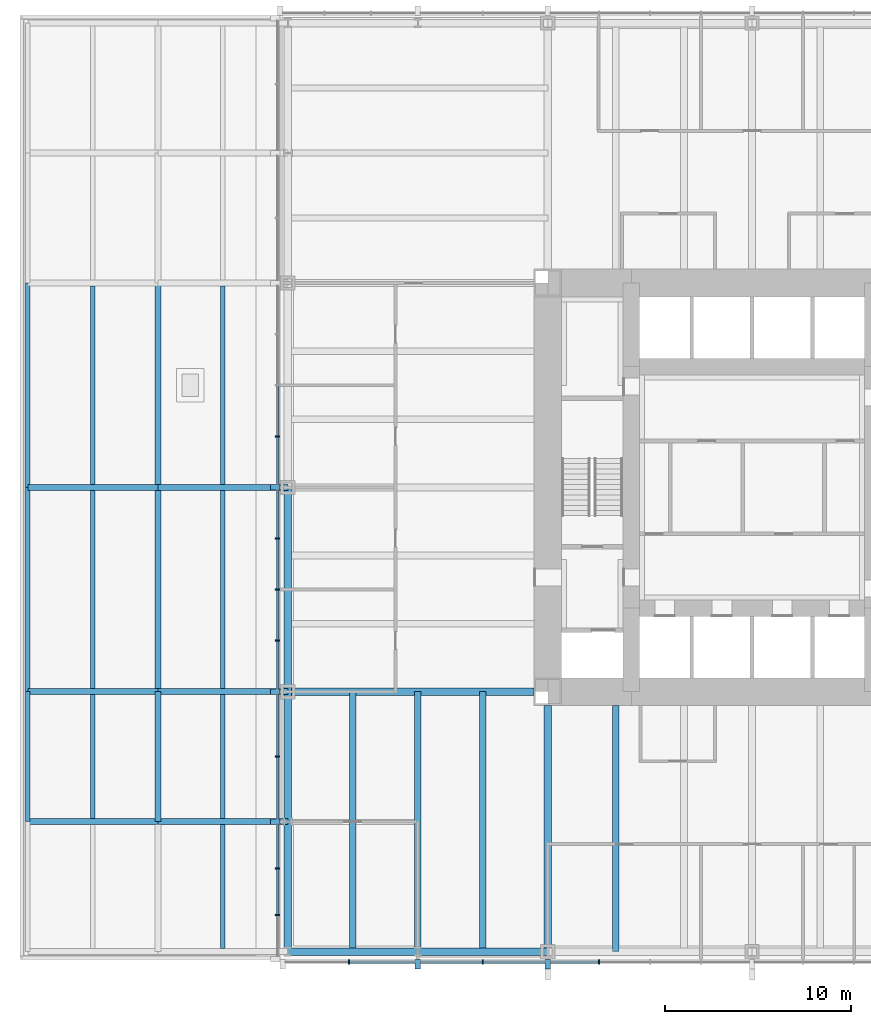
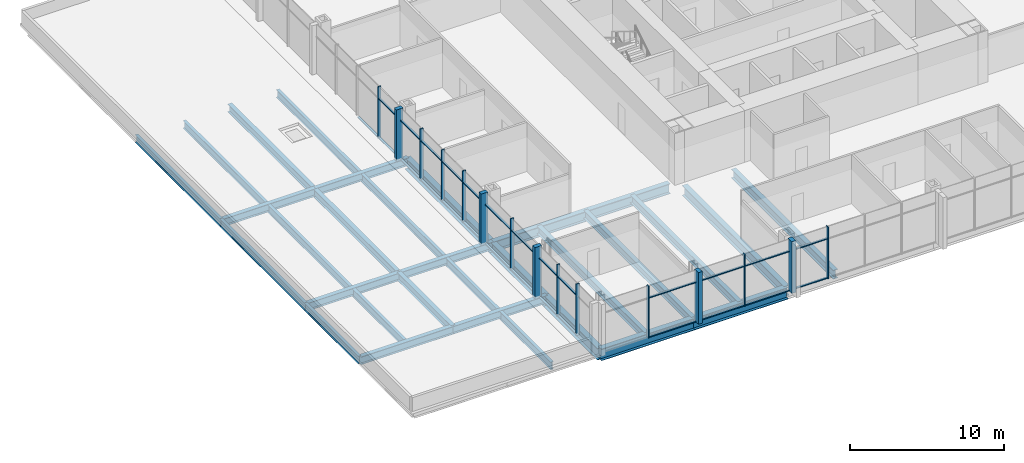
# One storey, part 2 of 15: 42 members, 30 beams, 2 elements without a shape of their own.
"""IFC4 building model written with IfcOpenShell, lengths in metres."""

from ifc_helpers import new_model, si_unit, direction, frame, origin, origin_2d, place, context, subcontext, project, spatial, rectangle, i_section, extrude, material, material_profile, profile_set, type_object, element, aggregate, save


model = new_model("IFC4")

# Units and contexts
model_context = context("Model", 3, precision=1e-05, world=origin(), true_north=direction((0.0, 1.0)))
body_context = subcontext(model_context, "Body", "Model", "MODEL_VIEW")
ifc_project = project(units=[si_unit("LENGTHUNIT", "METRE"), si_unit("AREAUNIT", "SQUARE_METRE"), si_unit("VOLUMEUNIT", "CUBIC_METRE"), si_unit("PLANEANGLEUNIT", "RADIAN"), si_unit("MASSUNIT", "GRAM", prefix="KILO")], contexts=[model_context])

# Site, building, storey
site_placement = place(None, origin())
site = spatial("IfcSite", under=ifc_project, at=site_placement, CompositionType="ELEMENT")
building_placement = place(site_placement, origin())
building = spatial("IfcBuilding", under=site, at=building_placement, Name="Trevanion Tower", CompositionType="ELEMENT")
storey_placement = place(building_placement, frame((0.0, 0.0, 16.0)))
storey = spatial("IfcBuildingStorey", under=building, at=storey_placement, Name="L03", CompositionType="ELEMENT", Elevation=16.0)

# Beams
ifc_material_1 = material(Name="Steel ASTM A992 Grade 50", Category="steel")
ifc_material_profile_1 = material_profile(ifc_material_1, i_section(OverallWidth=0.355712890625, OverallDepth=0.700927734375, WebThickness=0.016845703125, FlangeThickness=0.02734375, at=origin_2d()), Name="W27X161")
ifc_profile_set_1 = profile_set([ifc_material_profile_1], Name="Steel ASTM A992 Grade 50")
beam_type_1 = type_object("IfcBeamType", Name="B1 W27X161", PredefinedType="BEAM", material=ifc_profile_set_1)
beam_1_placement = place(storey_placement, frame((-7.333251953125, -11.75, -0.54052734375), z_axis=(0.0, -1.0, 0.0), x_axis=(1.0, 0.0, 0.0)))
element("IfcBeam", 1, at=beam_1_placement, inside=storey, type_object=beam_type_1, Name="B1 L03", PredefinedType="BEAM", context=body_context, shape_type="SweptSolid", body=[
    extrude(i_section(OverallWidth=0.355712890625, OverallDepth=0.700927734375, WebThickness=0.016845703125, FlangeThickness=0.02734375, at=origin_2d()), origin(), (0.0, 0.0, 1.0), 13.25),
])
ifc_material_2 = material(Name="Steel ASTM A992 Grade 50", Category="steel")
ifc_material_profile_2 = material_profile(ifc_material_2, i_section(OverallWidth=0.32763671875, OverallDepth=0.62744140625, WebThickness=0.0166015625, FlangeThickness=0.027587890625, at=origin_2d()), Name="W24X146")
ifc_profile_set_2 = profile_set([ifc_material_profile_2], Name="Steel ASTM A992 Grade 50")
beam_type_2 = type_object("IfcBeamType", Name="B2 W24X146", PredefinedType="BEAM", material=ifc_profile_set_2)
for number, where, z_axis, x_axis, name in (
    (2, (-14.5, -11.0, -0.503662109375), (0.0, -1.0, 0.0), (1.0, 0.0, 0.0), "B2 L03"),
    (3, (-18.0, -11.0, -0.503662109375), (0.0, -1.0, 0.0), (1.0, 0.0, 0.0), "B2 L03"),
    (4, (-21.5, -11.0, -0.503662109375), (0.0, -1.0, 0.0), (1.0, 0.0, 0.0), "B2 L03"),
):
    element("IfcBeam", number, at=place(storey_placement, frame(where, z_axis=z_axis, x_axis=x_axis)), inside=storey, type_object=beam_type_2, Name=name, PredefinedType="BEAM", context=body_context, shape_type="SweptSolid", body=[
        extrude(i_section(OverallWidth=0.32763671875, OverallDepth=0.62744140625, WebThickness=0.0166015625, FlangeThickness=0.027587890625, at=origin_2d()), origin(), (0.0, 0.0, 1.0), 14.0),
    ])

# Curtain wall, members
ifc_material_3 = material(Name="Aluminium and glass", Category="aluminium")
curtain_wall_type = type_object("IfcCurtainWallType", Name="CW1 curtain wall", PredefinedType="USERDEFINED", material=ifc_material_3)
curtain_wall_1_placement = place(storey_placement, origin())
curtain_wall_1 = element("IfcCurtainWall", 5, at=curtain_wall_1_placement, inside=storey, type_object=curtain_wall_type, Name="CW1 L03 2", ObjectType="UNITISED CURTAIN WALL", PredefinedType="USERDEFINED")
ifc_material_4 = material(Name="Aluminium extrusion, anodised bronze", Category="aluminium")
ifc_material_profile_3 = material_profile(ifc_material_4, rectangle(XDim=0.074951171875, YDim=0.25, at=origin_2d()), Name="CW1 mullion")
ifc_profile_set_3 = profile_set([ifc_material_profile_3], Name="Aluminium extrusion, anodised bronze")
member_type_1 = type_object("IfcMemberType", Name="CW1 mullion", PredefinedType="MULLION", material=ifc_profile_set_3)
member_1_placement = place(storey_placement, frame((-25.550048828125, 2.75, -0.18994140625), z_axis=(0.0, 0.0, 1.0), x_axis=(0.0, -1.0, 0.0)))
member_1 = element("IfcMember", 6, at=member_1_placement, type_object=member_type_1, Name="CW1 mullion 8", PredefinedType="MULLION", context=body_context, shape_type="SweptSolid", body=[
    extrude(rectangle(XDim=0.074951171875, YDim=0.25, at=origin_2d()), origin(), (0.0, 0.0, 1.0), 4.099853515625),
])
member_2_placement = place(storey_placement, frame((-25.550048828125, -2.75, -0.18994140625), z_axis=(0.0, 0.0, 1.0), x_axis=(0.0, -1.0, 0.0)))
member_2 = element("IfcMember", 7, at=member_2_placement, type_object=member_type_1, Name="CW1 mullion 10", PredefinedType="MULLION", context=body_context, shape_type="SweptSolid", body=[
    extrude(rectangle(XDim=0.074951171875, YDim=0.25, at=origin_2d()), origin(), (0.0, 0.0, 1.0), 4.099853515625),
])
member_3_placement = place(storey_placement, frame((-25.550048828125, -5.5, -0.18994140625), z_axis=(0.0, 0.0, 1.0), x_axis=(0.0, -1.0, 0.0)))
member_3 = element("IfcMember", 8, at=member_3_placement, type_object=member_type_1, Name="CW1 mullion 11", PredefinedType="MULLION", context=body_context, shape_type="SweptSolid", body=[
    extrude(rectangle(XDim=0.074951171875, YDim=0.25, at=origin_2d()), origin(), (0.0, 0.0, 1.0), 4.099853515625),
])
member_4_placement = place(storey_placement, frame((-25.550048828125, -8.25, -0.18994140625), z_axis=(0.0, 0.0, 1.0), x_axis=(0.0, -1.0, 0.0)))
member_4 = element("IfcMember", 9, at=member_4_placement, type_object=member_type_1, Name="CW1 mullion 12", PredefinedType="MULLION", context=body_context, shape_type="SweptSolid", body=[
    extrude(rectangle(XDim=0.074951171875, YDim=0.25, at=origin_2d()), origin(), (0.0, 0.0, 1.0), 4.099853515625),
])
member_5_placement = place(storey_placement, frame((-25.550048828125, -14.5, -0.18994140625), z_axis=(0.0, 0.0, 1.0), x_axis=(0.0, -1.0, 0.0)))
member_5 = element("IfcMember", 10, at=member_5_placement, type_object=member_type_1, Name="CW1 mullion 14", PredefinedType="MULLION", context=body_context, shape_type="SweptSolid", body=[
    extrude(rectangle(XDim=0.074951171875, YDim=0.25, at=origin_2d()), origin(), (0.0, 0.0, 1.0), 4.099853515625),
])
member_6_placement = place(storey_placement, frame((-25.550048828125, -20.5166015625, -0.18994140625), z_axis=(0.0, 0.0, 1.0), x_axis=(0.0, -1.0, 0.0)))
member_6 = element("IfcMember", 11, at=member_6_placement, type_object=member_type_1, Name="CW1 mullion 16", PredefinedType="MULLION", context=body_context, shape_type="SweptSolid", body=[
    extrude(rectangle(XDim=0.074951171875, YDim=0.25, at=origin_2d()), origin(), (0.0, 0.0, 1.0), 4.099853515625),
])
member_7_placement = place(storey_placement, frame((-25.550048828125, -23.033203125, -0.18994140625), z_axis=(0.0, 0.0, 1.0), x_axis=(0.0, -1.0, 0.0)))
member_7 = element("IfcMember", 12, at=member_7_placement, type_object=member_type_1, Name="CW1 mullion 17", PredefinedType="MULLION", context=body_context, shape_type="SweptSolid", body=[
    extrude(rectangle(XDim=0.074951171875, YDim=0.25, at=origin_2d()), origin(), (0.0, 0.0, 1.0), 4.099853515625),
])

curtain_wall_2_placement = place(storey_placement, origin())
curtain_wall_2 = element("IfcCurtainWall", 13, at=curtain_wall_2_placement, inside=storey, type_object=curtain_wall_type, Name="CW1 L03 3", ObjectType="UNITISED CURTAIN WALL", PredefinedType="USERDEFINED")
member_8_placement = place(storey_placement, frame((-21.7099609375, -25.550048828125, -0.18994140625), z_axis=(0.0, 0.0, 1.0), x_axis=(1.0, 0.0, 0.0)))
member_8 = element("IfcMember", 14, at=member_8_placement, type_object=member_type_1, Name="CW1 mullion 2", PredefinedType="MULLION", context=body_context, shape_type="SweptSolid", body=[
    extrude(rectangle(XDim=0.074951171875, YDim=0.25, at=origin_2d()), origin(), (0.0, 0.0, 1.0), 4.099853515625),
])
member_9_placement = place(storey_placement, frame((-14.5, -25.550048828125, -0.18994140625), z_axis=(0.0, 0.0, 1.0), x_axis=(1.0, 0.0, 0.0)))
member_9 = element("IfcMember", 15, at=member_9_placement, type_object=member_type_1, Name="CW1 mullion 4", PredefinedType="MULLION", context=body_context, shape_type="SweptSolid", body=[
    extrude(rectangle(XDim=0.074951171875, YDim=0.25, at=origin_2d()), origin(), (0.0, 0.0, 1.0), 4.099853515625),
])
member_10_placement = place(storey_placement, frame((-8.25, -25.550048828125, -0.18994140625), z_axis=(0.0, 0.0, 1.0), x_axis=(1.0, 0.0, 0.0)))
member_10 = element("IfcMember", 16, at=member_10_placement, type_object=member_type_1, Name="CW1 mullion 6", PredefinedType="MULLION", context=body_context, shape_type="SweptSolid", body=[
    extrude(rectangle(XDim=0.074951171875, YDim=0.25, at=origin_2d()), origin(), (0.0, 0.0, 1.0), 4.099853515625),
])

# Member
ifc_material_5 = material(Name="Aluminium extrusion, anodised bronze", Category="aluminium")
ifc_material_profile_4 = material_profile(ifc_material_5, rectangle(XDim=0.300048828125, YDim=0.5, at=origin_2d()), Name="CW1 pier mullion")
ifc_profile_set_4 = profile_set([ifc_material_profile_4], Name="Aluminium extrusion, anodised bronze")
member_type_2 = type_object("IfcMemberType", Name="CW1 pier mullion", PredefinedType="MULLION", material=ifc_profile_set_4)
member_11_placement = place(storey_placement, frame((-25.675048828125, 0.0, -0.18994140625), z_axis=(0.0, 0.0, 1.0), x_axis=(0.0, -1.0, 0.0)))
member_11 = element("IfcMember", 17, at=member_11_placement, type_object=member_type_2, Name="CW1 pier mullion 9", PredefinedType="MULLION", context=body_context, shape_type="SweptSolid", body=[
    extrude(rectangle(XDim=0.300048828125, YDim=0.5, at=origin_2d()), origin(), (0.0, 0.0, 1.0), 4.099853515625),
])

member_12_placement = place(storey_placement, frame((-25.675048828125, -11.0, -0.18994140625), z_axis=(0.0, 0.0, 1.0), x_axis=(0.0, -1.0, 0.0)))
member_12 = element("IfcMember", 18, at=member_12_placement, type_object=member_type_2, Name="CW1 pier mullion 13", PredefinedType="MULLION", context=body_context, shape_type="SweptSolid", body=[
    extrude(rectangle(XDim=0.300048828125, YDim=0.5, at=origin_2d()), origin(), (0.0, 0.0, 1.0), 4.099853515625),
])

member_13_placement = place(storey_placement, frame((-25.675048828125, -18.0, -0.18994140625), z_axis=(0.0, 0.0, 1.0), x_axis=(0.0, -1.0, 0.0)))
member_13 = element("IfcMember", 19, at=member_13_placement, type_object=member_type_2, Name="CW1 pier mullion 15", PredefinedType="MULLION", context=body_context, shape_type="SweptSolid", body=[
    extrude(rectangle(XDim=0.300048828125, YDim=0.5, at=origin_2d()), origin(), (0.0, 0.0, 1.0), 4.099853515625),
])

member_14_placement = place(storey_placement, frame((-18.0, -25.675048828125, -0.18994140625), z_axis=(0.0, 0.0, 1.0), x_axis=(1.0, 0.0, 0.0)))
member_14 = element("IfcMember", 20, at=member_14_placement, type_object=member_type_2, Name="CW1 pier mullion 3", PredefinedType="MULLION", context=body_context, shape_type="SweptSolid", body=[
    extrude(rectangle(XDim=0.300048828125, YDim=0.5, at=origin_2d()), origin(), (0.0, 0.0, 1.0), 4.099853515625),
])

member_15_placement = place(storey_placement, frame((-11.0, -25.675048828125, -0.18994140625), z_axis=(0.0, 0.0, 1.0), x_axis=(1.0, 0.0, 0.0)))
member_15 = element("IfcMember", 21, at=member_15_placement, type_object=member_type_2, Name="CW1 pier mullion 5", PredefinedType="MULLION", context=body_context, shape_type="SweptSolid", body=[
    extrude(rectangle(XDim=0.300048828125, YDim=0.5, at=origin_2d()), origin(), (0.0, 0.0, 1.0), 4.099853515625),
])

ifc_material_6 = material(Name="Aluminium extrusion, anodised bronze", Category="aluminium")
ifc_material_profile_5 = material_profile(ifc_material_6, rectangle(XDim=0.14990234375, YDim=0.074951171875, at=origin_2d()), Name="CW1 transom")
ifc_profile_set_5 = profile_set([ifc_material_profile_5], Name="Aluminium extrusion, anodised bronze")
member_type_3 = type_object("IfcMemberType", Name="CW1 transom", PredefinedType="USERDEFINED", material=ifc_profile_set_5)
member_16_placement = place(storey_placement, frame((-25.550048828125, 5.46240234375, -0.152587890625), z_axis=(0.0, -1.0, 0.0), x_axis=(1.0, 0.0, 0.0)))
member_16 = element("IfcMember", 22, at=member_16_placement, type_object=member_type_3, Name="CW1 transom 7.1", ObjectType="TRANSOM", PredefinedType="USERDEFINED", context=body_context, shape_type="SweptSolid", body=[
    extrude(rectangle(XDim=0.14990234375, YDim=0.074951171875, at=origin_2d()), origin(), (0.0, 0.0, 1.0), 2.6748046875),
])

member_17_placement = place(storey_placement, frame((-25.550048828125, 2.71240234375, -0.152587890625), z_axis=(0.0, -1.0, 0.0), x_axis=(1.0, 0.0, 0.0)))
member_17 = element("IfcMember", 23, at=member_17_placement, type_object=member_type_3, Name="CW1 transom 8.1", ObjectType="TRANSOM", PredefinedType="USERDEFINED", context=body_context, shape_type="SweptSolid", body=[
    extrude(rectangle(XDim=0.14990234375, YDim=0.074951171875, at=origin_2d()), origin(), (0.0, 0.0, 1.0), 2.5625),
])

member_18_placement = place(storey_placement, frame((-25.550048828125, 2.71240234375, 2.9599609375), z_axis=(0.0, -1.0, 0.0), x_axis=(1.0, 0.0, 0.0)))
member_18 = element("IfcMember", 24, at=member_18_placement, type_object=member_type_3, Name="CW1 transom 8.2", ObjectType="TRANSOM", PredefinedType="USERDEFINED", context=body_context, shape_type="SweptSolid", body=[
    extrude(rectangle(XDim=0.14990234375, YDim=0.074951171875, at=origin_2d()), origin(), (0.0, 0.0, 1.0), 2.5625),
])

member_19_placement = place(storey_placement, frame((-25.550048828125, -0.14990234375, -0.152587890625), z_axis=(0.0, -1.0, 0.0), x_axis=(1.0, 0.0, 0.0)))
member_19 = element("IfcMember", 25, at=member_19_placement, type_object=member_type_3, Name="CW1 transom 9.1", ObjectType="TRANSOM", PredefinedType="USERDEFINED", context=body_context, shape_type="SweptSolid", body=[
    extrude(rectangle(XDim=0.14990234375, YDim=0.074951171875, at=origin_2d()), origin(), (0.0, 0.0, 1.0), 2.5625),
])

member_20_placement = place(storey_placement, frame((-25.550048828125, -0.14990234375, 2.9599609375), z_axis=(0.0, -1.0, 0.0), x_axis=(1.0, 0.0, 0.0)))
member_20 = element("IfcMember", 26, at=member_20_placement, type_object=member_type_3, Name="CW1 transom 9.2", ObjectType="TRANSOM", PredefinedType="USERDEFINED", context=body_context, shape_type="SweptSolid", body=[
    extrude(rectangle(XDim=0.14990234375, YDim=0.074951171875, at=origin_2d()), origin(), (0.0, 0.0, 1.0), 2.5625),
])

member_21_placement = place(storey_placement, frame((-25.550048828125, -2.78759765625, -0.152587890625), z_axis=(0.0, -1.0, 0.0), x_axis=(1.0, 0.0, 0.0)))
member_21 = element("IfcMember", 27, at=member_21_placement, type_object=member_type_3, Name="CW1 transom 10.1", ObjectType="TRANSOM", PredefinedType="USERDEFINED", context=body_context, shape_type="SweptSolid", body=[
    extrude(rectangle(XDim=0.14990234375, YDim=0.074951171875, at=origin_2d()), origin(), (0.0, 0.0, 1.0), 2.6748046875),
])

member_22_placement = place(storey_placement, frame((-25.550048828125, -2.78759765625, 2.9599609375), z_axis=(0.0, -1.0, 0.0), x_axis=(1.0, 0.0, 0.0)))
member_22 = element("IfcMember", 28, at=member_22_placement, type_object=member_type_3, Name="CW1 transom 10.2", ObjectType="TRANSOM", PredefinedType="USERDEFINED", context=body_context, shape_type="SweptSolid", body=[
    extrude(rectangle(XDim=0.14990234375, YDim=0.074951171875, at=origin_2d()), origin(), (0.0, 0.0, 1.0), 2.6748046875),
])

member_23_placement = place(storey_placement, frame((-25.550048828125, -5.53759765625, -0.152587890625), z_axis=(0.0, -1.0, 0.0), x_axis=(1.0, 0.0, 0.0)))
member_23 = element("IfcMember", 29, at=member_23_placement, type_object=member_type_3, Name="CW1 transom 11.1", ObjectType="TRANSOM", PredefinedType="USERDEFINED", context=body_context, shape_type="SweptSolid", body=[
    extrude(rectangle(XDim=0.14990234375, YDim=0.074951171875, at=origin_2d()), origin(), (0.0, 0.0, 1.0), 2.6748046875),
])

member_24_placement = place(storey_placement, frame((-25.550048828125, -5.53759765625, 2.9599609375), z_axis=(0.0, -1.0, 0.0), x_axis=(1.0, 0.0, 0.0)))
member_24 = element("IfcMember", 30, at=member_24_placement, type_object=member_type_3, Name="CW1 transom 11.2", ObjectType="TRANSOM", PredefinedType="USERDEFINED", context=body_context, shape_type="SweptSolid", body=[
    extrude(rectangle(XDim=0.14990234375, YDim=0.074951171875, at=origin_2d()), origin(), (0.0, 0.0, 1.0), 2.6748046875),
])

member_25_placement = place(storey_placement, frame((-25.550048828125, -8.28759765625, -0.152587890625), z_axis=(0.0, -1.0, 0.0), x_axis=(1.0, 0.0, 0.0)))
member_25 = element("IfcMember", 31, at=member_25_placement, type_object=member_type_3, Name="CW1 transom 12.1", ObjectType="TRANSOM", PredefinedType="USERDEFINED", context=body_context, shape_type="SweptSolid", body=[
    extrude(rectangle(XDim=0.14990234375, YDim=0.074951171875, at=origin_2d()), origin(), (0.0, 0.0, 1.0), 2.5625),
])

member_26_placement = place(storey_placement, frame((-25.550048828125, -8.28759765625, 2.9599609375), z_axis=(0.0, -1.0, 0.0), x_axis=(1.0, 0.0, 0.0)))
member_26 = element("IfcMember", 32, at=member_26_placement, type_object=member_type_3, Name="CW1 transom 12.2", ObjectType="TRANSOM", PredefinedType="USERDEFINED", context=body_context, shape_type="SweptSolid", body=[
    extrude(rectangle(XDim=0.14990234375, YDim=0.074951171875, at=origin_2d()), origin(), (0.0, 0.0, 1.0), 2.5625),
])

member_27_placement = place(storey_placement, frame((-25.550048828125, -11.14990234375, -0.152587890625), z_axis=(0.0, -1.0, 0.0), x_axis=(1.0, 0.0, 0.0)))
member_27 = element("IfcMember", 33, at=member_27_placement, type_object=member_type_3, Name="CW1 transom 13.1", ObjectType="TRANSOM", PredefinedType="USERDEFINED", context=body_context, shape_type="SweptSolid", body=[
    extrude(rectangle(XDim=0.14990234375, YDim=0.074951171875, at=origin_2d()), origin(), (0.0, 0.0, 1.0), 3.3125),
])

member_28_placement = place(storey_placement, frame((-25.550048828125, -11.14990234375, 2.9599609375), z_axis=(0.0, -1.0, 0.0), x_axis=(1.0, 0.0, 0.0)))
member_28 = element("IfcMember", 34, at=member_28_placement, type_object=member_type_3, Name="CW1 transom 13.2", ObjectType="TRANSOM", PredefinedType="USERDEFINED", context=body_context, shape_type="SweptSolid", body=[
    extrude(rectangle(XDim=0.14990234375, YDim=0.074951171875, at=origin_2d()), origin(), (0.0, 0.0, 1.0), 3.3125),
])

member_29_placement = place(storey_placement, frame((-25.550048828125, -14.53759765625, -0.152587890625), z_axis=(0.0, -1.0, 0.0), x_axis=(1.0, 0.0, 0.0)))
member_29 = element("IfcMember", 35, at=member_29_placement, type_object=member_type_3, Name="CW1 transom 14.1", ObjectType="TRANSOM", PredefinedType="USERDEFINED", context=body_context, shape_type="SweptSolid", body=[
    extrude(rectangle(XDim=0.14990234375, YDim=0.074951171875, at=origin_2d()), origin(), (0.0, 0.0, 1.0), 3.3125),
])

member_30_placement = place(storey_placement, frame((-25.550048828125, -14.53759765625, 2.9599609375), z_axis=(0.0, -1.0, 0.0), x_axis=(1.0, 0.0, 0.0)))
member_30 = element("IfcMember", 36, at=member_30_placement, type_object=member_type_3, Name="CW1 transom 14.2", ObjectType="TRANSOM", PredefinedType="USERDEFINED", context=body_context, shape_type="SweptSolid", body=[
    extrude(rectangle(XDim=0.14990234375, YDim=0.074951171875, at=origin_2d()), origin(), (0.0, 0.0, 1.0), 3.3125),
])

member_31_placement = place(storey_placement, frame((-25.550048828125, -18.14990234375, -0.152587890625), z_axis=(0.0, -1.0, 0.0), x_axis=(1.0, 0.0, 0.0)))
member_31 = element("IfcMember", 37, at=member_31_placement, type_object=member_type_3, Name="CW1 transom 15.1", ObjectType="TRANSOM", PredefinedType="USERDEFINED", context=body_context, shape_type="SweptSolid", body=[
    extrude(rectangle(XDim=0.14990234375, YDim=0.074951171875, at=origin_2d()), origin(), (0.0, 0.0, 1.0), 2.329345703125),
])

member_32_placement = place(storey_placement, frame((-25.550048828125, -18.14990234375, 2.9599609375), z_axis=(0.0, -1.0, 0.0), x_axis=(1.0, 0.0, 0.0)))
member_32 = element("IfcMember", 38, at=member_32_placement, type_object=member_type_3, Name="CW1 transom 15.2", ObjectType="TRANSOM", PredefinedType="USERDEFINED", context=body_context, shape_type="SweptSolid", body=[
    extrude(rectangle(XDim=0.14990234375, YDim=0.074951171875, at=origin_2d()), origin(), (0.0, 0.0, 1.0), 2.329345703125),
])

member_33_placement = place(storey_placement, frame((-25.550048828125, -20.55419921875, -0.152587890625), z_axis=(0.0, -1.0, 0.0), x_axis=(1.0, 0.0, 0.0)))
member_33 = element("IfcMember", 39, at=member_33_placement, type_object=member_type_3, Name="CW1 transom 16.1", ObjectType="TRANSOM", PredefinedType="USERDEFINED", context=body_context, shape_type="SweptSolid", body=[
    extrude(rectangle(XDim=0.14990234375, YDim=0.074951171875, at=origin_2d()), origin(), (0.0, 0.0, 1.0), 2.441650390625),
])

member_34_placement = place(storey_placement, frame((-25.550048828125, -20.55419921875, 2.9599609375), z_axis=(0.0, -1.0, 0.0), x_axis=(1.0, 0.0, 0.0)))
member_34 = element("IfcMember", 40, at=member_34_placement, type_object=member_type_3, Name="CW1 transom 16.2", ObjectType="TRANSOM", PredefinedType="USERDEFINED", context=body_context, shape_type="SweptSolid", body=[
    extrude(rectangle(XDim=0.14990234375, YDim=0.074951171875, at=origin_2d()), origin(), (0.0, 0.0, 1.0), 2.441650390625),
])

aggregate(curtain_wall_1, [member_1, member_11, member_2, member_3, member_4, member_12, member_5, member_13, member_6, member_7, member_16, member_17, member_18, member_19, member_20, member_21, member_22, member_23, member_24, member_25, member_26, member_27, member_28, member_29, member_30, member_31, member_32, member_33, member_34])

member_35_placement = place(storey_placement, frame((-21.672607421875, -25.550048828125, -0.152587890625), z_axis=(1.0, 0.0, 0.0), x_axis=(0.0, 1.0, 0.0)))
member_35 = element("IfcMember", 41, at=member_35_placement, type_object=member_type_3, Name="CW1 transom 2.1", ObjectType="TRANSOM", PredefinedType="USERDEFINED", context=body_context, shape_type="SweptSolid", body=[
    extrude(rectangle(XDim=0.14990234375, YDim=0.074951171875, at=origin_2d()), origin(), (0.0, 0.0, 1.0), 3.522705078125),
])

member_36_placement = place(storey_placement, frame((-21.672607421875, -25.550048828125, 2.9599609375), z_axis=(1.0, 0.0, 0.0), x_axis=(0.0, 1.0, 0.0)))
member_36 = element("IfcMember", 42, at=member_36_placement, type_object=member_type_3, Name="CW1 transom 2.2", ObjectType="TRANSOM", PredefinedType="USERDEFINED", context=body_context, shape_type="SweptSolid", body=[
    extrude(rectangle(XDim=0.14990234375, YDim=0.074951171875, at=origin_2d()), origin(), (0.0, 0.0, 1.0), 3.522705078125),
])

member_37_placement = place(storey_placement, frame((-17.85009765625, -25.550048828125, -0.152587890625), z_axis=(1.0, 0.0, 0.0), x_axis=(0.0, 1.0, 0.0)))
member_37 = element("IfcMember", 43, at=member_37_placement, type_object=member_type_3, Name="CW1 transom 3.1", ObjectType="TRANSOM", PredefinedType="USERDEFINED", context=body_context, shape_type="SweptSolid", body=[
    extrude(rectangle(XDim=0.14990234375, YDim=0.074951171875, at=origin_2d()), origin(), (0.0, 0.0, 1.0), 3.3125),
])

member_38_placement = place(storey_placement, frame((-17.85009765625, -25.550048828125, 2.9599609375), z_axis=(1.0, 0.0, 0.0), x_axis=(0.0, 1.0, 0.0)))
member_38 = element("IfcMember", 44, at=member_38_placement, type_object=member_type_3, Name="CW1 transom 3.2", ObjectType="TRANSOM", PredefinedType="USERDEFINED", context=body_context, shape_type="SweptSolid", body=[
    extrude(rectangle(XDim=0.14990234375, YDim=0.074951171875, at=origin_2d()), origin(), (0.0, 0.0, 1.0), 3.3125),
])

member_39_placement = place(storey_placement, frame((-14.46240234375, -25.550048828125, -0.152587890625), z_axis=(1.0, 0.0, 0.0), x_axis=(0.0, 1.0, 0.0)))
member_39 = element("IfcMember", 45, at=member_39_placement, type_object=member_type_3, Name="CW1 transom 4.1", ObjectType="TRANSOM", PredefinedType="USERDEFINED", context=body_context, shape_type="SweptSolid", body=[
    extrude(rectangle(XDim=0.14990234375, YDim=0.074951171875, at=origin_2d()), origin(), (0.0, 0.0, 1.0), 3.3125),
])

member_40_placement = place(storey_placement, frame((-14.46240234375, -25.550048828125, 2.9599609375), z_axis=(1.0, 0.0, 0.0), x_axis=(0.0, 1.0, 0.0)))
member_40 = element("IfcMember", 46, at=member_40_placement, type_object=member_type_3, Name="CW1 transom 4.2", ObjectType="TRANSOM", PredefinedType="USERDEFINED", context=body_context, shape_type="SweptSolid", body=[
    extrude(rectangle(XDim=0.14990234375, YDim=0.074951171875, at=origin_2d()), origin(), (0.0, 0.0, 1.0), 3.3125),
])

member_41_placement = place(storey_placement, frame((-10.85009765625, -25.550048828125, -0.152587890625), z_axis=(1.0, 0.0, 0.0), x_axis=(0.0, 1.0, 0.0)))
member_41 = element("IfcMember", 47, at=member_41_placement, type_object=member_type_3, Name="CW1 transom 5.1", ObjectType="TRANSOM", PredefinedType="USERDEFINED", context=body_context, shape_type="SweptSolid", body=[
    extrude(rectangle(XDim=0.14990234375, YDim=0.074951171875, at=origin_2d()), origin(), (0.0, 0.0, 1.0), 2.5625),
])

member_42_placement = place(storey_placement, frame((-10.85009765625, -25.550048828125, 2.9599609375), z_axis=(1.0, 0.0, 0.0), x_axis=(0.0, 1.0, 0.0)))
member_42 = element("IfcMember", 48, at=member_42_placement, type_object=member_type_3, Name="CW1 transom 5.2", ObjectType="TRANSOM", PredefinedType="USERDEFINED", context=body_context, shape_type="SweptSolid", body=[
    extrude(rectangle(XDim=0.14990234375, YDim=0.074951171875, at=origin_2d()), origin(), (0.0, 0.0, 1.0), 2.5625),
])

aggregate(curtain_wall_2, [member_8, member_14, member_9, member_15, member_10, member_35, member_36, member_37, member_38, member_39, member_40, member_41, member_42])

# Beams
ifc_material_7 = material(Name="Steel ASTM A992 Grade 50", Category="steel")
ifc_material_profile_6 = material_profile(ifc_material_7, i_section(OverallWidth=0.385986328125, OverallDepth=0.802734375, WebThickness=0.023681640625, FlangeThickness=0.0419921875, at=origin_2d()), Name="W30X261")
ifc_profile_set_6 = profile_set([ifc_material_profile_6], Name="Steel ASTM A992 Grade 50")
beam_type_3 = type_object("IfcBeamType", Name="G1 W30X261", PredefinedType="BEAM", material=ifc_profile_set_6)
for number, where, z_axis, x_axis, name in (
    (49, (-11.75, -11.0, -0.59130859375), (-1.0, 0.0, 0.0), (0.0, -1.0, 0.0), "G1 L03"),
    (50, (-11.0, -11.75, -0.59130859375), (0.0, -1.0, 0.0), (1.0, 0.0, 0.0), "G1 L03"),
):
    element("IfcBeam", number, at=place(storey_placement, frame(where, z_axis=z_axis, x_axis=x_axis)), inside=storey, type_object=beam_type_3, Name=name, PredefinedType="BEAM", context=body_context, shape_type="SweptSolid", body=[
        extrude(i_section(OverallWidth=0.385986328125, OverallDepth=0.802734375, WebThickness=0.023681640625, FlangeThickness=0.0419921875, at=origin_2d()), origin(), (0.0, 0.0, 1.0), 13.25),
    ])
ifc_material_8 = material(Name="Steel ASTM A992 Grade 50", Category="steel")
ifc_material_profile_7 = material_profile(ifc_material_8, i_section(OverallWidth=0.419189453125, OverallDepth=0.927001953125, WebThickness=0.019287109375, FlangeThickness=0.031982421875, at=origin_2d()), Name="W36X231")
ifc_profile_set_7 = profile_set([ifc_material_profile_7], Name="Steel ASTM A992 Grade 50")
beam_type_4 = type_object("IfcBeamType", Name="SB1 W36X231", PredefinedType="SPANDREL", material=ifc_profile_set_7)
beam_2_placement = place(storey_placement, frame((-25.0, 0.0, -0.653564453125), z_axis=(0.0, -1.0, 0.0), x_axis=(1.0, 0.0, 0.0)))
element("IfcBeam", 51, at=beam_2_placement, inside=storey, type_object=beam_type_4, Name="SB1 L03", PredefinedType="SPANDREL", context=body_context, shape_type="SweptSolid", body=[
    extrude(i_section(OverallWidth=0.419189453125, OverallDepth=0.927001953125, WebThickness=0.019287109375, FlangeThickness=0.031982421875, at=origin_2d()), origin(), (0.0, 0.0, 1.0), 11.0),
])
for number, where, z_axis, x_axis, name in (
    (52, (-25.0, -11.0, -0.653564453125), (0.0, -1.0, 0.0), (1.0, 0.0, 0.0), "SB1 L03"),
    (53, (-25.0, -18.0, -0.653564453125), (0.0, -1.0, 0.0), (1.0, 0.0, 0.0), "SB1 L03"),
    (54, (-25.0, -25.0, -0.653564453125), (1.0, 0.0, 0.0), (0.0, 1.0, 0.0), "SB1 L03"),
    (55, (-18.0, -25.0, -0.653564453125), (1.0, 0.0, 0.0), (0.0, 1.0, 0.0), "SB1 L03"),
):
    element("IfcBeam", number, at=place(storey_placement, frame(where, z_axis=z_axis, x_axis=x_axis)), inside=storey, type_object=beam_type_4, Name=name, PredefinedType="SPANDREL", context=body_context, shape_type="SweptSolid", body=[
        extrude(i_section(OverallWidth=0.419189453125, OverallDepth=0.927001953125, WebThickness=0.019287109375, FlangeThickness=0.031982421875, at=origin_2d()), origin(), (0.0, 0.0, 1.0), 7.0),
    ])
ifc_material_9 = material(Name="Steel ASTM A992 Grade 50", Category="steel")
ifc_material_profile_8 = material_profile(ifc_material_9, i_section(OverallWidth=0.228271484375, OverallDepth=0.607177734375, WebThickness=0.01123046875, FlangeThickness=0.017333984375, at=origin_2d()), Name="W24X76")
ifc_profile_set_8 = profile_set([ifc_material_profile_8], Name="Steel ASTM A992 Grade 50")
beam_type_5 = type_object("IfcBeamType", Name="WB1 W24X76", PredefinedType="BEAM", material=ifc_profile_set_8)
for number, where, z_axis, x_axis, name in (
    (56, (-28.5, 10.83740234375, -0.493408203125), (0.0, -1.0, 0.0), (1.0, 0.0, 0.0), "WB1 L03"),
    (57, (-28.5, -0.16259765625, -0.493408203125), (0.0, -1.0, 0.0), (1.0, 0.0, 0.0), "WB1 L03"),
):
    element("IfcBeam", number, at=place(storey_placement, frame(where, z_axis=z_axis, x_axis=x_axis)), inside=storey, type_object=beam_type_5, Name=name, PredefinedType="BEAM", context=body_context, shape_type="SweptSolid", body=[
        extrude(i_section(OverallWidth=0.228271484375, OverallDepth=0.607177734375, WebThickness=0.01123046875, FlangeThickness=0.017333984375, at=origin_2d()), origin(), (0.0, 0.0, 1.0), 10.6748046875),
    ])
for number, where, z_axis, x_axis, name in (
    (58, (-28.5, -11.16259765625, -0.493408203125), (0.0, -1.0, 0.0), (1.0, 0.0, 0.0), "WB1 L03"),
    (59, (-28.5, -18.16259765625, -0.493408203125), (0.0, -1.0, 0.0), (1.0, 0.0, 0.0), "WB1 L03"),
):
    element("IfcBeam", number, at=place(storey_placement, frame(where, z_axis=z_axis, x_axis=x_axis)), inside=storey, type_object=beam_type_5, Name=name, PredefinedType="BEAM", context=body_context, shape_type="SweptSolid", body=[
        extrude(i_section(OverallWidth=0.228271484375, OverallDepth=0.607177734375, WebThickness=0.01123046875, FlangeThickness=0.017333984375, at=origin_2d()), origin(), (0.0, 0.0, 1.0), 6.6748046875),
    ])
for number, where, z_axis, x_axis, name in (
    (60, (-35.5, 10.83740234375, -0.493408203125), (0.0, -1.0, 0.0), (1.0, 0.0, 0.0), "WB1 L03"),
    (61, (-35.5, -0.16259765625, -0.493408203125), (0.0, -1.0, 0.0), (1.0, 0.0, 0.0), "WB1 L03"),
):
    element("IfcBeam", number, at=place(storey_placement, frame(where, z_axis=z_axis, x_axis=x_axis)), inside=storey, type_object=beam_type_5, Name=name, PredefinedType="BEAM", context=body_context, shape_type="SweptSolid", body=[
        extrude(i_section(OverallWidth=0.228271484375, OverallDepth=0.607177734375, WebThickness=0.01123046875, FlangeThickness=0.017333984375, at=origin_2d()), origin(), (0.0, 0.0, 1.0), 10.6748046875),
    ])
beam_3_placement = place(storey_placement, frame((-35.5, -11.16259765625, -0.493408203125), z_axis=(0.0, -1.0, 0.0), x_axis=(1.0, 0.0, 0.0)))
element("IfcBeam", 62, at=beam_3_placement, inside=storey, type_object=beam_type_5, Name="WB1 L03", PredefinedType="BEAM", context=body_context, shape_type="SweptSolid", body=[
    extrude(i_section(OverallWidth=0.228271484375, OverallDepth=0.607177734375, WebThickness=0.01123046875, FlangeThickness=0.017333984375, at=origin_2d()), origin(), (0.0, 0.0, 1.0), 6.6748046875),
])
ifc_material_10 = material(Name="Steel ASTM A992 Grade 50", Category="steel")
ifc_material_profile_9 = material_profile(ifc_material_10, i_section(OverallWidth=0.227783203125, OverallDepth=0.60205078125, WebThickness=0.010498046875, FlangeThickness=0.014892578125, at=origin_2d()), Name="W24X68")
ifc_profile_set_9 = profile_set([ifc_material_profile_9], Name="Steel ASTM A992 Grade 50")
beam_type_6 = type_object("IfcBeamType", Name="WE1 W24X68", PredefinedType="SPANDREL", material=ifc_profile_set_9)
for number, where, z_axis, x_axis, name in (
    (63, (-39.0, 11.0, -0.490966796875), (0.0, -1.0, 0.0), (1.0, 0.0, 0.0), "WE1 L03"),
    (64, (-39.0, 0.0, -0.490966796875), (0.0, -1.0, 0.0), (1.0, 0.0, 0.0), "WE1 L03"),
):
    element("IfcBeam", number, at=place(storey_placement, frame(where, z_axis=z_axis, x_axis=x_axis)), inside=storey, type_object=beam_type_6, Name=name, PredefinedType="SPANDREL", context=body_context, shape_type="SweptSolid", body=[
        extrude(i_section(OverallWidth=0.227783203125, OverallDepth=0.60205078125, WebThickness=0.010498046875, FlangeThickness=0.014892578125, at=origin_2d()), origin(), (0.0, 0.0, 1.0), 11.0),
    ])
beam_4_placement = place(storey_placement, frame((-39.0, -11.0, -0.490966796875), z_axis=(0.0, -1.0, 0.0), x_axis=(1.0, 0.0, 0.0)))
element("IfcBeam", 65, at=beam_4_placement, inside=storey, type_object=beam_type_6, Name="WE1 L03", PredefinedType="SPANDREL", context=body_context, shape_type="SweptSolid", body=[
    extrude(i_section(OverallWidth=0.227783203125, OverallDepth=0.60205078125, WebThickness=0.010498046875, FlangeThickness=0.014892578125, at=origin_2d()), origin(), (0.0, 0.0, 1.0), 7.0),
])
ifc_material_11 = material(Name="Steel ASTM A992 Grade 50", Category="steel")
ifc_material_profile_10 = material_profile(ifc_material_11, i_section(OverallWidth=0.3251953125, OverallDepth=0.612060546875, WebThickness=0.0126953125, FlangeThickness=0.01904296875, at=origin_2d()), Name="W24X104")
ifc_profile_set_10 = profile_set([ifc_material_profile_10], Name="Steel ASTM A992 Grade 50")
beam_type_7 = type_object("IfcBeamType", Name="WG1 W24X104", PredefinedType="BEAM", material=ifc_profile_set_10)
for number, where, z_axis, x_axis, name in (
    (66, (-25.0, 0.0, -0.49609375), (-1.0, 0.0, 0.0), (0.0, -1.0, 0.0), "WG1 L03"),
    (67, (-32.0, 0.0, -0.49609375), (-1.0, 0.0, 0.0), (0.0, -1.0, 0.0), "WG1 L03"),
    (68, (-25.0, -11.0, -0.49609375), (-1.0, 0.0, 0.0), (0.0, -1.0, 0.0), "WG1 L03"),
    (69, (-32.0, -11.0, -0.49609375), (-1.0, 0.0, 0.0), (0.0, -1.0, 0.0), "WG1 L03"),
    (70, (-25.0, -18.0, -0.49609375), (-1.0, 0.0, 0.0), (0.0, -1.0, 0.0), "WG1 L03"),
    (71, (-32.0, -18.0, -0.49609375), (-1.0, 0.0, 0.0), (0.0, -1.0, 0.0), "WG1 L03"),
):
    element("IfcBeam", number, at=place(storey_placement, frame(where, z_axis=z_axis, x_axis=x_axis)), inside=storey, type_object=beam_type_7, Name=name, PredefinedType="BEAM", context=body_context, shape_type="SweptSolid", body=[
        extrude(i_section(OverallWidth=0.3251953125, OverallDepth=0.612060546875, WebThickness=0.0126953125, FlangeThickness=0.01904296875, at=origin_2d()), origin(), (0.0, 0.0, 1.0), 7.0),
    ])
for number, where, z_axis, x_axis, name in (
    (72, (-32.0, 11.0, -0.49609375), (0.0, -1.0, 0.0), (1.0, 0.0, 0.0), "WG1 L03"),
    (73, (-32.0, 0.0, -0.49609375), (0.0, -1.0, 0.0), (1.0, 0.0, 0.0), "WG1 L03"),
):
    element("IfcBeam", number, at=place(storey_placement, frame(where, z_axis=z_axis, x_axis=x_axis)), inside=storey, type_object=beam_type_7, Name=name, PredefinedType="BEAM", context=body_context, shape_type="SweptSolid", body=[
        extrude(i_section(OverallWidth=0.3251953125, OverallDepth=0.612060546875, WebThickness=0.0126953125, FlangeThickness=0.01904296875, at=origin_2d()), origin(), (0.0, 0.0, 1.0), 11.0),
    ])
beam_5_placement = place(storey_placement, frame((-32.0, -11.0, -0.49609375), z_axis=(0.0, -1.0, 0.0), x_axis=(1.0, 0.0, 0.0)))
element("IfcBeam", 74, at=beam_5_placement, inside=storey, type_object=beam_type_7, Name="WG1 L03", PredefinedType="BEAM", context=body_context, shape_type="SweptSolid", body=[
    extrude(i_section(OverallWidth=0.3251953125, OverallDepth=0.612060546875, WebThickness=0.0126953125, FlangeThickness=0.01904296875, at=origin_2d()), origin(), (0.0, 0.0, 1.0), 7.0),
])

save(model, "model.ifc")
